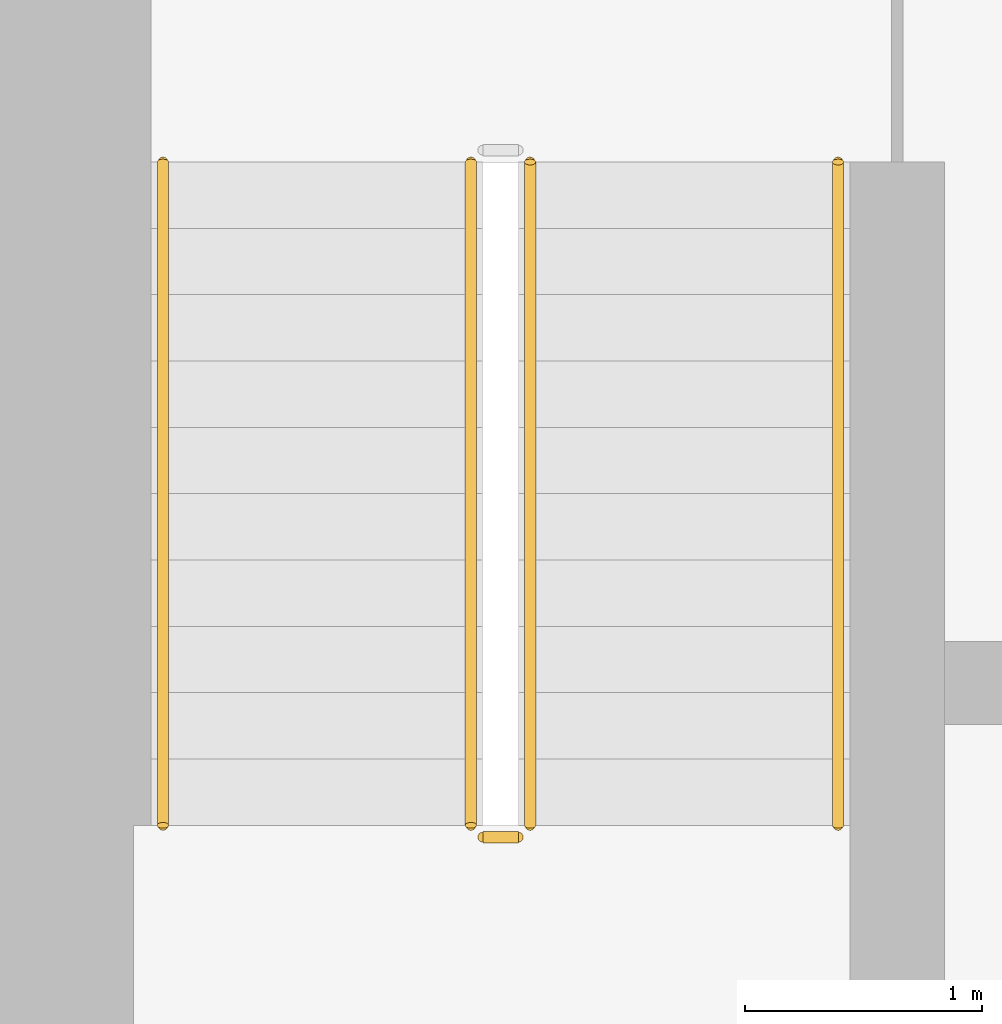
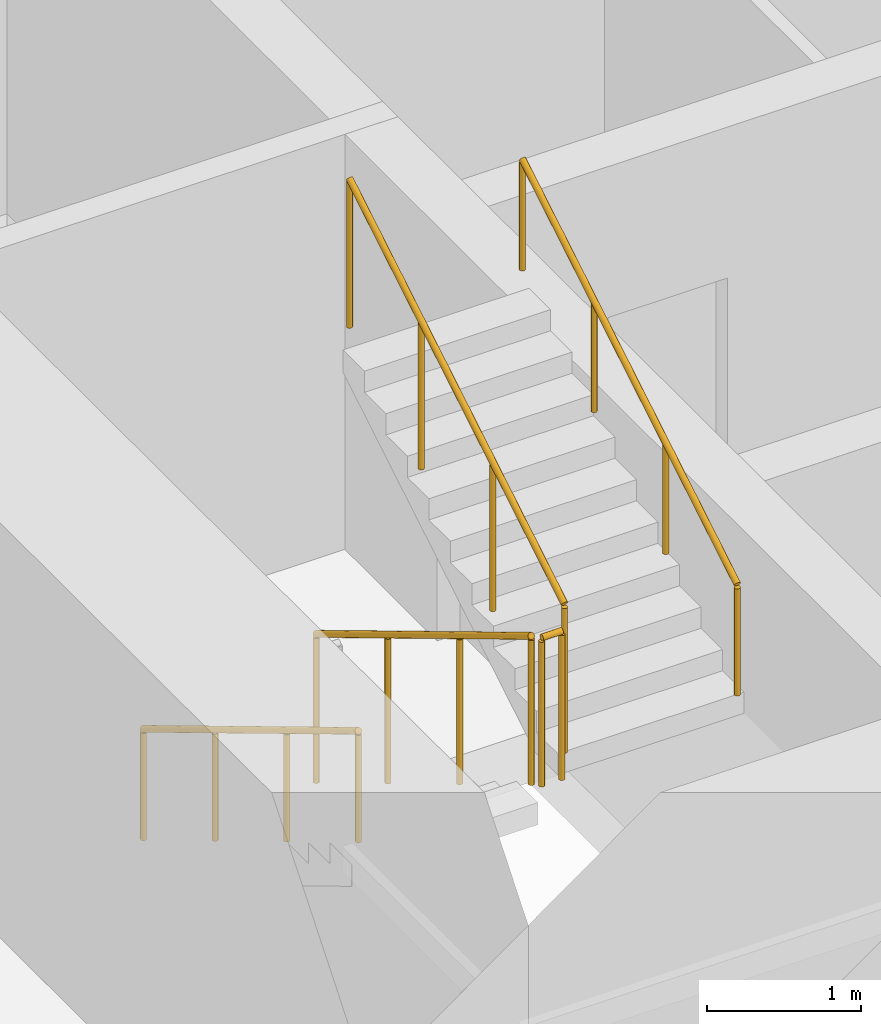
# One storey, part 22 of 27: 5 railings.
"""IFC4 building model written with IfcOpenShell, lengths in metres."""

from ifc_helpers import new_model, si_unit, direction, frame, origin, origin_2d, place, context, subcontext, project, spatial, circle, extrude, material, type_object, element, save


model = new_model("IFC4")

# Units and contexts
model_context = context("Model", 3, precision=1e-05, world=origin(), true_north=direction((0.0, 1.0)))
body_context = subcontext(model_context, "Body", "Model", "MODEL_VIEW")
ifc_project = project(units=[si_unit("LENGTHUNIT", "METRE"), si_unit("AREAUNIT", "SQUARE_METRE"), si_unit("VOLUMEUNIT", "CUBIC_METRE"), si_unit("PLANEANGLEUNIT", "RADIAN"), si_unit("MASSUNIT", "GRAM", prefix="KILO")], contexts=[model_context])

# Site, building, storey
site_placement = place(None, origin())
site = spatial("IfcSite", under=ifc_project, at=site_placement, CompositionType="ELEMENT")
building_placement = place(site_placement, origin())
building = spatial("IfcBuilding", under=site, at=building_placement, Name="Dongbaek Canopy Tower", CompositionType="ELEMENT")
storey_placement = place(building_placement, frame((0.0, 0.0, 58.800048828125)))
storey = spatial("IfcBuildingStorey", under=building, at=storey_placement, Name="L10", CompositionType="ELEMENT", Elevation=58.800048828125)

# Railings
ifc_material_1 = material(Name="Stainless steel tube and balusters", Category="steel")
railing_type_1 = type_object("IfcRailingType", Name="Stair guard 1200", PredefinedType="GUARDRAIL", material=ifc_material_1)
railing_1_placement = place(storey_placement, frame((-11.449951171875, -4.699951171875, 0.168212890625)))
element("IfcRailing", 1, at=railing_1_placement, inside=storey, type_object=railing_type_1, Name="L10 ST-D stair guard 1", PredefinedType="GUARDRAIL", context=body_context, shape_type="SweptSolid", body=[
    extrude(circle(Radius=0.02392578125, at=origin_2d()), frame((0.0, 0.0, 1.17578125), z_axis=(0.0, -0.857275202839, 0.514858452973), x_axis=(1.0, 0.0, 0.0)), (0.0, 0.0, 1.0), 3.26611328125),
    extrude(circle(Radius=0.02099609375, at=origin_2d()), origin(), (0.0, 0.0, 1.0), 1.15185546875),
    extrude(circle(Radius=0.02099609375, at=origin_2d()), frame((0.0, -0.933349609375, 0.560546875)), (0.0, 0.0, 1.0), 1.15185546875),
    extrude(circle(Radius=0.02099609375, at=origin_2d()), frame((0.0, -1.86669921875, 1.12109375)), (0.0, 0.0, 1.0), 1.15185546875),
    extrude(circle(Radius=0.02099609375, at=origin_2d()), frame((0.0, -2.800048828125, 1.681640625)), (0.0, 0.0, 1.0), 1.15185546875),
])
railing_2_placement = place(storey_placement, frame((-11.39990234375, -7.550048828125, 1.849853515625)))
element("IfcRailing", 2, at=railing_2_placement, inside=storey, type_object=railing_type_1, Name="L10 ST-D stair guard 2", PredefinedType="GUARDRAIL", context=body_context, shape_type="SweptSolid", body=[
    extrude(circle(Radius=0.02392578125, at=origin_2d()), frame((0.0, 0.0, 1.17578125), z_axis=(1.0, 0.0, 0.0), x_axis=(0.0, 1.0, 0.0)), (0.0, 0.0, 1.0), 0.14990234375),
    extrude(circle(Radius=0.02099609375, at=origin_2d()), origin(), (0.0, 0.0, 1.0), 1.15185546875),
    extrude(circle(Radius=0.02099609375, at=origin_2d()), frame((0.14990234375, 0.0, 0.0)), (0.0, 0.0, 1.0), 1.15185546875),
])
railing_3_placement = place(storey_placement, frame((-11.199951171875, -7.5, 2.01806640625)))
element("IfcRailing", 3, at=railing_3_placement, inside=storey, type_object=railing_type_1, Name="L10 ST-D stair guard 3", PredefinedType="GUARDRAIL", context=body_context, shape_type="SweptSolid", body=[
    extrude(circle(Radius=0.02392578125, at=origin_2d()), frame((0.0, 0.0, 1.17578125), z_axis=(0.0, 0.857242210791, 0.514913383045), x_axis=(-1.0, 0.0, 0.0)), (0.0, 0.0, 1.0), 3.266357421875),
    extrude(circle(Radius=0.02099609375, at=origin_2d()), origin(), (0.0, 0.0, 1.0), 1.15185546875),
    extrude(circle(Radius=0.02099609375, at=origin_2d()), frame((0.0, 0.933349609375, 0.560546875)), (0.0, 0.0, 1.0), 1.15185546875),
    extrude(circle(Radius=0.02099609375, at=origin_2d()), frame((0.0, 1.86669921875, 1.121337890625)), (0.0, 0.0, 1.0), 1.15185546875),
    extrude(circle(Radius=0.02099609375, at=origin_2d()), frame((0.0, 2.800048828125, 1.681884765625)), (0.0, 0.0, 1.0), 1.15185546875),
])
ifc_material_2 = material(Name="Stainless steel tube", Category="steel")
railing_type_2 = type_object("IfcRailingType", Name="Stair handrail 900", PredefinedType="HANDRAIL", material=ifc_material_2)
railing_4_placement = place(storey_placement, frame((-12.75, -4.699951171875, 0.168212890625)))
element("IfcRailing", 4, at=railing_4_placement, inside=storey, type_object=railing_type_2, Name="L10 ST-D stair handrail 1", PredefinedType="HANDRAIL", context=body_context, shape_type="SweptSolid", body=[
    extrude(circle(Radius=0.02392578125, at=origin_2d()), frame((0.0, 0.0, 0.8759765625), z_axis=(0.0, -0.857275202839, 0.514858452973), x_axis=(1.0, 0.0, 0.0)), (0.0, 0.0, 1.0), 3.26611328125),
    extrude(circle(Radius=0.02099609375, at=origin_2d()), origin(), (0.0, 0.0, 1.0), 0.851806640625),
    extrude(circle(Radius=0.02099609375, at=origin_2d()), frame((0.0, -0.933349609375, 0.560546875)), (0.0, 0.0, 1.0), 0.851806640625),
    extrude(circle(Radius=0.02099609375, at=origin_2d()), frame((0.0, -1.86669921875, 1.12109375)), (0.0, 0.0, 1.0), 0.851806640625),
    extrude(circle(Radius=0.02099609375, at=origin_2d()), frame((0.0, -2.800048828125, 1.681640625)), (0.0, 0.0, 1.0), 0.851806640625),
])
railing_5_placement = place(storey_placement, frame((-9.89990234375, -7.5, 2.01806640625)))
element("IfcRailing", 5, at=railing_5_placement, inside=storey, type_object=railing_type_2, Name="L10 ST-D stair handrail 2", PredefinedType="HANDRAIL", context=body_context, shape_type="SweptSolid", body=[
    extrude(circle(Radius=0.02392578125, at=origin_2d()), frame((0.0, 0.0, 0.8759765625), z_axis=(0.0, 0.857242210791, 0.514913383045), x_axis=(-1.0, 0.0, 0.0)), (0.0, 0.0, 1.0), 3.266357421875),
    extrude(circle(Radius=0.02099609375, at=origin_2d()), origin(), (0.0, 0.0, 1.0), 0.851806640625),
    extrude(circle(Radius=0.02099609375, at=origin_2d()), frame((0.0, 0.933349609375, 0.560546875)), (0.0, 0.0, 1.0), 0.851806640625),
    extrude(circle(Radius=0.02099609375, at=origin_2d()), frame((0.0, 1.86669921875, 1.121337890625)), (0.0, 0.0, 1.0), 0.851806640625),
    extrude(circle(Radius=0.02099609375, at=origin_2d()), frame((0.0, 2.800048828125, 1.681884765625)), (0.0, 0.0, 1.0), 0.851806640625),
])

save(model, "model.ifc")
